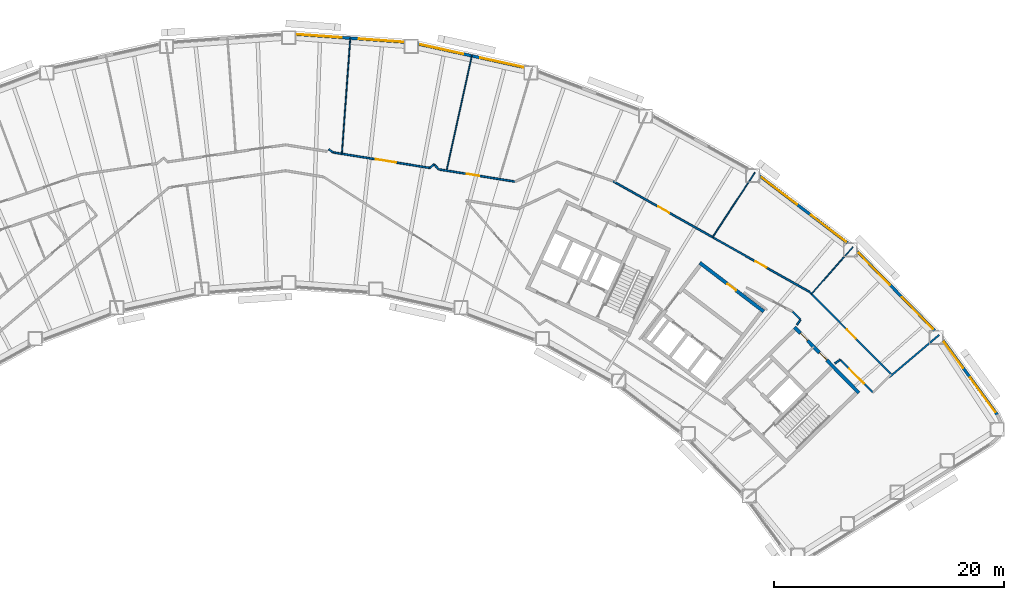
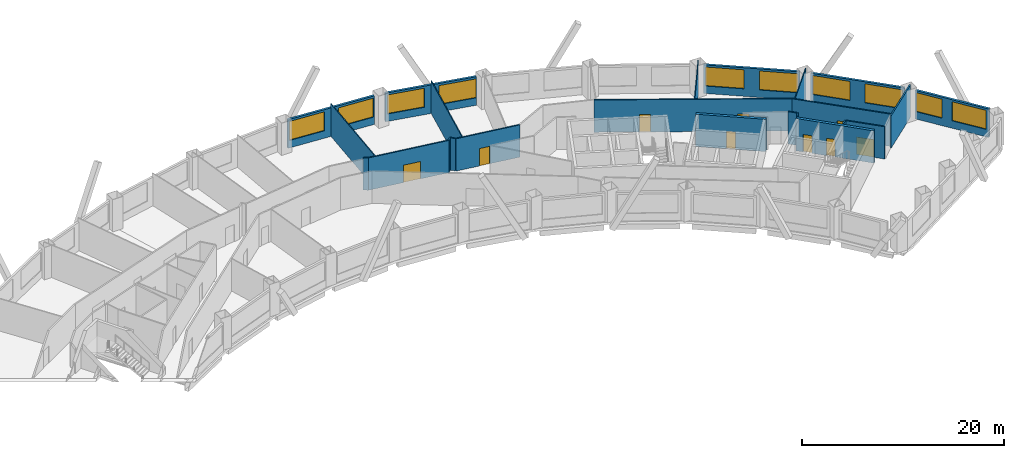
# One storey, part 8 of 12: 23 walls, 10 windows, 9 doors, 19 openings.
"""IFC4 building model written with IfcOpenShell, lengths in metres."""

from ifc_helpers import new_model, si_unit, direction, frame, frame_2d, origin, place, context, subcontext, project, spatial, rectangle, extrude, material, layer, layer_set, type_object, element, fill, save


model = new_model("IFC4")

# Units and contexts
model_context = context("Model", 3, precision=1e-05, world=origin(), true_north=direction((0.0, 1.0)))
body_context = subcontext(model_context, "Body", "Model", "MODEL_VIEW")
ifc_project = project(units=[si_unit("LENGTHUNIT", "METRE"), si_unit("AREAUNIT", "SQUARE_METRE"), si_unit("VOLUMEUNIT", "CUBIC_METRE"), si_unit("PLANEANGLEUNIT", "RADIAN"), si_unit("MASSUNIT", "GRAM", prefix="KILO")], contexts=[model_context])

# Site, building, storey
site_placement = place(None, origin())
site = spatial("IfcSite", under=ifc_project, at=site_placement, CompositionType="ELEMENT")
building_placement = place(site_placement, origin())
building = spatial("IfcBuilding", under=site, at=building_placement, Name="Tuul Gate Civic Tower", CompositionType="ELEMENT")
storey_placement = place(building_placement, frame((0.0, 0.0, 73.800048828125)))
storey = spatial("IfcBuildingStorey", under=building, at=storey_placement, Name="Level 16", CompositionType="ELEMENT", Elevation=73.800048828125)

# Wall, openings, doors
ifc_material_1 = material(Name="Concrete C50/60", Category="concrete")
ifc_layer_1 = layer(ifc_material_1, 0.300048828125)
ifc_layer_set_1 = layer_set([ifc_layer_1], Name="Concrete C50/60")
wall_type_1 = type_object("IfcWallType", Name="Core wall C50/60", PredefinedType="SHEAR", material=ifc_layer_set_1)
wall_1_placement = place(storey_placement, frame((54.43798828125, -12.23779296875, 0.0), z_axis=(0.0, 0.0, 1.0), x_axis=(-0.700021979774, 0.714121297703, 0.0)))
wall_1 = element("IfcWall", 1, at=wall_1_placement, inside=storey, type_object=wall_type_1, Name="Core wall", PredefinedType="SHEAR", context=body_context, shape_type="SweptSolid", body=[
    extrude(rectangle(XDim=8.0, YDim=0.300048828125, at=frame_2d((4.0, 0.0))), origin(), (0.0, 0.0, 1.0), 3.89990234375),
])
opening_1_placement = place(wall_1_placement, frame((3.987548828125, 0.0, 0.0)))
opening_1 = element("IfcOpeningElement", 2, at=opening_1_placement, cuts=wall_1, Name="Opening E-D39", PredefinedType="OPENING", context=body_context, shape_type="SweptSolid", body=[
    extrude(rectangle(XDim=0.89990234375, YDim=2.10009765625, at=frame_2d((0.449951171875, 1.050048828125))), frame((0.0, 0.16015625, 0.0), z_axis=(0.0, -1.0, 0.0), x_axis=(1.0, 0.0, 0.0)), (0.0, 0.0, 1.0), 0.320068359375),
])
opening_2_placement = place(wall_1_placement, frame((6.362548828125, 0.0, 0.0)))
opening_2 = element("IfcOpeningElement", 3, at=opening_2_placement, cuts=wall_1, Name="Opening E-D40", PredefinedType="OPENING", context=body_context, shape_type="SweptSolid", body=[
    extrude(rectangle(XDim=0.89990234375, YDim=2.10009765625, at=frame_2d((0.449951171875, 1.050048828125))), frame((0.0, 0.16015625, 0.0), z_axis=(0.0, -1.0, 0.0), x_axis=(1.0, 0.0, 0.0)), (0.0, 0.0, 1.0), 0.320068359375),
])
ifc_material_2 = material(Name="Timber door leaf", Category="wood")
door_type_1 = type_object("IfcDoorType", Name="Door D09", OperationType="NOTDEFINED", PredefinedType="DOOR", material=ifc_material_2)
door_1_placement = place(opening_1_placement, origin())
door_1 = element("IfcDoor", 4, at=door_1_placement, inside=storey, type_object=door_type_1, Name="Door E-D39", OperationType="SINGLE_SWING_LEFT", OverallHeight=2.10009765625, OverallWidth=0.89990234375, PredefinedType="DOOR", context=body_context, shape_type="SweptSolid", body=[
    extrude(rectangle(XDim=0.89990234375, YDim=2.10009765625, at=frame_2d((0.449951171875, 1.050048828125))), frame((0.0, 0.02490234375, 0.0), z_axis=(0.0, -1.0, 0.0), x_axis=(1.0, 0.0, 0.0)), (0.0, 0.0, 1.0), 0.050048828125),
])
fill(opening_1, door_1)
door_2_placement = place(opening_2_placement, origin())
door_2 = element("IfcDoor", 5, at=door_2_placement, inside=storey, type_object=door_type_1, Name="Door E-D40", OperationType="SINGLE_SWING_LEFT", OverallHeight=2.10009765625, OverallWidth=0.89990234375, PredefinedType="DOOR", context=body_context, shape_type="SweptSolid", body=[
    extrude(rectangle(XDim=0.89990234375, YDim=2.10009765625, at=frame_2d((0.449951171875, 1.050048828125))), frame((0.0, 0.02490234375, 0.0), z_axis=(0.0, -1.0, 0.0), x_axis=(1.0, 0.0, 0.0)), (0.0, 0.0, 1.0), 0.050048828125),
])
fill(opening_2, door_2)

# Wall
ifc_material_3 = material(Name="Gypsum board partition")
ifc_layer_2 = layer(ifc_material_3, 0.14990234375)
ifc_layer_set_2 = layer_set([ifc_layer_2], Name="Gypsum board partition")
wall_type_2 = type_object("IfcWallType", Name="Corridor wall P150", PredefinedType="PARTITIONING", material=ifc_layer_set_2)
wall_2_placement = place(storey_placement, frame((57.067626953125, -10.89501953125, 0.0), z_axis=(0.0, 0.0, 1.0), x_axis=(0.762730425935, 0.646716551012, 0.0)))
element("IfcWall", 6, at=wall_2_placement, inside=storey, type_object=wall_type_2, Name="p005", PredefinedType="PARTITIONING", context=body_context, shape_type="SweptSolid", body=[
    extrude(rectangle(XDim=5.721923828125, YDim=0.14990234375, at=frame_2d((2.86083984375, 0.0))), origin(), (0.0, 0.0, 1.0), 3.89990234375),
])

# Wall, opening, door
wall_3_placement = place(storey_placement, frame((50.1171875, -3.4287109375, 0.0), z_axis=(0.0, 0.0, 1.0), x_axis=(0.704511742875, -0.709692330628, 0.0)))
wall_3 = element("IfcWall", 7, at=wall_3_placement, inside=storey, type_object=wall_type_2, Name="p007", PredefinedType="PARTITIONING", context=body_context, shape_type="SweptSolid", body=[
    extrude(rectangle(XDim=10.132080078125, YDim=0.14990234375, at=frame_2d((5.06591796875, 0.0))), origin(), (0.0, 0.0, 1.0), 3.89990234375),
])
opening_3_placement = place(wall_3_placement, frame((4.65576171875, 0.0, 0.0)))
opening_3 = element("IfcOpeningElement", 8, at=opening_3_placement, cuts=wall_3, Name="Opening E-D01", PredefinedType="OPENING", context=body_context, shape_type="SweptSolid", body=[
    extrude(rectangle(XDim=1.10009765625, YDim=2.10009765625, at=frame_2d((0.550048828125, 1.050048828125))), frame((0.0, 0.0849609375, 0.0), z_axis=(0.0, -1.0, 0.0), x_axis=(1.0, 0.0, 0.0)), (0.0, 0.0, 1.0), 0.169921875),
])
ifc_material_4 = material(Name="Timber door leaf", Category="wood")
door_type_2 = type_object("IfcDoorType", Name="Door D11", OperationType="NOTDEFINED", PredefinedType="DOOR", material=ifc_material_4)
door_3_placement = place(opening_3_placement, origin())
door_3 = element("IfcDoor", 9, at=door_3_placement, inside=storey, type_object=door_type_2, Name="Door E-D01", OperationType="SINGLE_SWING_RIGHT", OverallHeight=2.10009765625, OverallWidth=1.10009765625, PredefinedType="DOOR", context=body_context, shape_type="SweptSolid", body=[
    extrude(rectangle(XDim=1.10009765625, YDim=2.10009765625, at=frame_2d((0.550048828125, 1.050048828125))), frame((0.0, 0.02490234375, 0.0), z_axis=(0.0, -1.0, 0.0), x_axis=(1.0, 0.0, 0.0)), (0.0, 0.0, 1.0), 0.050048828125),
])
fill(opening_3, door_3)

# Wall, openings, doors
wall_4_placement = place(storey_placement, frame((33.027099609375, 6.202392578125, 0.0), z_axis=(0.0, 0.0, 1.0), x_axis=(0.871189375321, -0.490947117649, 0.0)))
wall_4 = element("IfcWall", 10, at=wall_4_placement, inside=storey, type_object=wall_type_2, Name="p010", PredefinedType="PARTITIONING", context=body_context, shape_type="SweptSolid", body=[
    extrude(rectangle(XDim=19.616455078125, YDim=0.14990234375, at=frame_2d((9.80810546875, 0.0))), origin(), (0.0, 0.0, 1.0), 3.89990234375),
])
opening_4_placement = place(wall_4_placement, frame((14.237548828125, 0.0, 0.0)))
opening_4 = element("IfcOpeningElement", 11, at=opening_4_placement, cuts=wall_4, Name="Opening E-D02", PredefinedType="OPENING", context=body_context, shape_type="SweptSolid", body=[
    extrude(rectangle(XDim=1.10009765625, YDim=2.10009765625, at=frame_2d((0.550048828125, 1.050048828125))), frame((0.0, 0.0849609375, 0.0), z_axis=(0.0, -1.0, 0.0), x_axis=(1.0, 0.0, 0.0)), (0.0, 0.0, 1.0), 0.169921875),
])
opening_5_placement = place(wall_4_placement, frame((4.53125, 0.0, 0.0)))
opening_5 = element("IfcOpeningElement", 12, at=opening_5_placement, cuts=wall_4, Name="Opening E-D03", PredefinedType="OPENING", context=body_context, shape_type="SweptSolid", body=[
    extrude(rectangle(XDim=1.10009765625, YDim=2.10009765625, at=frame_2d((0.550048828125, 1.050048828125))), frame((0.0, 0.0849609375, 0.0), z_axis=(0.0, -1.0, 0.0), x_axis=(1.0, 0.0, 0.0)), (0.0, 0.0, 1.0), 0.169921875),
])
door_4_placement = place(opening_4_placement, origin())
door_4 = element("IfcDoor", 13, at=door_4_placement, inside=storey, type_object=door_type_2, Name="Door E-D02", OperationType="SINGLE_SWING_RIGHT", OverallHeight=2.10009765625, OverallWidth=1.10009765625, PredefinedType="DOOR", context=body_context, shape_type="SweptSolid", body=[
    extrude(rectangle(XDim=1.10009765625, YDim=2.10009765625, at=frame_2d((0.550048828125, 1.050048828125))), frame((0.0, 0.02490234375, 0.0), z_axis=(0.0, -1.0, 0.0), x_axis=(1.0, 0.0, 0.0)), (0.0, 0.0, 1.0), 0.050048828125),
])
fill(opening_4, door_4)
door_5_placement = place(opening_5_placement, origin())
door_5 = element("IfcDoor", 14, at=door_5_placement, inside=storey, type_object=door_type_2, Name="Door E-D03", OperationType="SINGLE_SWING_RIGHT", OverallHeight=2.10009765625, OverallWidth=1.10009765625, PredefinedType="DOOR", context=body_context, shape_type="SweptSolid", body=[
    extrude(rectangle(XDim=1.10009765625, YDim=2.10009765625, at=frame_2d((0.550048828125, 1.050048828125))), frame((0.0, 0.02490234375, 0.0), z_axis=(0.0, -1.0, 0.0), x_axis=(1.0, 0.0, 0.0)), (0.0, 0.0, 1.0), 0.050048828125),
])
fill(opening_5, door_5)

# Wall, opening, door
wall_5_placement = place(storey_placement, frame((8.696044921875, 8.693115234375, 0.0), z_axis=(0.0, 0.0, 1.0), x_axis=(0.987354667713, -0.158526843613, 0.0)))
wall_5 = element("IfcWall", 15, at=wall_5_placement, inside=storey, type_object=wall_type_2, Name="p016", PredefinedType="PARTITIONING", context=body_context, shape_type="SweptSolid", body=[
    extrude(rectangle(XDim=8.48583984375, YDim=0.14990234375, at=frame_2d((4.242919921875, 0.0))), origin(), (0.0, 0.0, 1.0), 3.89990234375),
])
opening_6_placement = place(wall_5_placement, frame((3.713134765625, 0.0, 0.0)))
opening_6 = element("IfcOpeningElement", 16, at=opening_6_placement, cuts=wall_5, Name="Opening E-D06", PredefinedType="OPENING", context=body_context, shape_type="SweptSolid", body=[
    extrude(rectangle(XDim=1.800048828125, YDim=2.10009765625, at=frame_2d((0.89990234375, 1.050048828125))), frame((0.0, 0.0849609375, 0.0), z_axis=(0.0, -1.0, 0.0), x_axis=(1.0, 0.0, 0.0)), (0.0, 0.0, 1.0), 0.169921875),
])
ifc_material_5 = material(Name="Timber door leaf, double", Category="wood")
door_type_3 = type_object("IfcDoorType", Name="Door D18", OperationType="DOUBLE_DOOR_SINGLE_SWING", PredefinedType="DOOR", material=ifc_material_5)
door_6_placement = place(opening_6_placement, origin())
door_6 = element("IfcDoor", 17, at=door_6_placement, inside=storey, type_object=door_type_3, Name="Door E-D06", OperationType="DOUBLE_DOOR_SINGLE_SWING", OverallHeight=2.10009765625, OverallWidth=1.800048828125, PredefinedType="DOOR", context=body_context, shape_type="SweptSolid", body=[
    extrude(rectangle(XDim=1.800048828125, YDim=2.10009765625, at=frame_2d((0.89990234375, 1.050048828125))), frame((0.0, 0.02490234375, 0.0), z_axis=(0.0, -1.0, 0.0), x_axis=(1.0, 0.0, 0.0)), (0.0, 0.0, 1.0), 0.050048828125),
])
fill(opening_6, door_6)

wall_6_placement = place(storey_placement, frame((17.852294921875, 7.222900390625, 0.0), z_axis=(0.0, 0.0, 1.0), x_axis=(0.987357729875, -0.158507770332, 0.0)))
wall_6 = element("IfcWall", 18, at=wall_6_placement, inside=storey, type_object=wall_type_2, Name="p017", PredefinedType="PARTITIONING", context=body_context, shape_type="SweptSolid", body=[
    extrude(rectangle(XDim=6.737060546875, YDim=0.14990234375, at=frame_2d((3.36865234375, 0.0))), origin(), (0.0, 0.0, 1.0), 3.89990234375),
])
opening_7_placement = place(wall_6_placement, frame((2.47021484375, 0.0, 0.0)))
opening_7 = element("IfcOpeningElement", 19, at=opening_7_placement, cuts=wall_6, Name="Opening E-D05", PredefinedType="OPENING", context=body_context, shape_type="SweptSolid", body=[
    extrude(rectangle(XDim=1.10009765625, YDim=2.10009765625, at=frame_2d((0.550048828125, 1.050048828125))), frame((0.0, 0.0849609375, 0.0), z_axis=(0.0, -1.0, 0.0), x_axis=(1.0, 0.0, 0.0)), (0.0, 0.0, 1.0), 0.169921875),
])
door_7_placement = place(opening_7_placement, origin())
door_7 = element("IfcDoor", 20, at=door_7_placement, inside=storey, type_object=door_type_2, Name="Door E-D05", OperationType="SINGLE_SWING_RIGHT", OverallHeight=2.10009765625, OverallWidth=1.10009765625, PredefinedType="DOOR", context=body_context, shape_type="SweptSolid", body=[
    extrude(rectangle(XDim=1.10009765625, YDim=2.10009765625, at=frame_2d((0.550048828125, 1.050048828125))), frame((0.0, 0.02490234375, 0.0), z_axis=(0.0, -1.0, 0.0), x_axis=(1.0, 0.0, 0.0)), (0.0, 0.0, 1.0), 0.050048828125),
])
fill(opening_7, door_7)

# Walls
wall_7_placement = place(storey_placement, frame((17.457275390625, 7.67041015625, 0.0), z_axis=(0.0, 0.0, 1.0), x_axis=(0.65604412912, -0.754722532225, 0.0)))
element("IfcWall", 21, at=wall_7_placement, inside=storey, type_object=wall_type_2, Name="p020", PredefinedType="PARTITIONING", context=body_context, shape_type="SweptSolid", body=[
    extrude(rectangle(XDim=0.583984375, YDim=0.14990234375, at=frame_2d((0.2919921875, 0.0))), origin(), (0.0, 0.0, 1.0), 3.89990234375),
])
wall_8_placement = place(storey_placement, frame((17.090576171875, 7.3525390625, 0.0), z_axis=(0.0, 0.0, 1.0), x_axis=(0.754724742006, 0.656041586947, 0.0)))
element("IfcWall", 22, at=wall_8_placement, inside=storey, type_object=wall_type_2, Name="p022", PredefinedType="PARTITIONING", context=body_context, shape_type="SweptSolid", body=[
    extrude(rectangle(XDim=0.48486328125, YDim=0.14990234375, at=frame_2d((0.242431640625, 0.0))), origin(), (0.0, 0.0, 1.0), 3.89990234375),
])
wall_9_placement = place(storey_placement, frame((8.266357421875, 8.96728515625, 0.0), z_axis=(0.0, 0.0, 1.0), x_axis=(0.841289122959, -0.540585434128, 0.0)))
element("IfcWall", 23, at=wall_9_placement, inside=storey, type_object=wall_type_2, Name="p024", PredefinedType="PARTITIONING", context=body_context, shape_type="SweptSolid", body=[
    extrude(rectangle(XDim=0.501708984375, YDim=0.14990234375, at=frame_2d((0.2509765625, 0.0))), origin(), (0.0, 0.0, 1.0), 3.89990234375),
])
wall_10_placement = place(storey_placement, frame((48.674560546875, -5.169189453125, 0.0), z_axis=(0.0, 0.0, 1.0), x_axis=(0.704658506308, -0.709546608397, 0.0)))
element("IfcWall", 24, at=wall_10_placement, inside=storey, type_object=wall_type_2, Name="p063", PredefinedType="PARTITIONING", context=body_context, shape_type="SweptSolid", body=[
    extrude(rectangle(XDim=0.948974609375, YDim=0.14990234375, at=frame_2d((0.474609375, 0.0))), origin(), (0.0, 0.0, 1.0), 3.89990234375),
])

# Wall, opening, door
wall_11_placement = place(storey_placement, frame((52.823974609375, -9.348876953125, 0.0), z_axis=(0.0, 0.0, 1.0), x_axis=(0.704493184161, -0.709710753386, 0.0)))
wall_11 = element("IfcWall", 25, at=wall_11_placement, inside=storey, type_object=wall_type_2, Name="p064", PredefinedType="PARTITIONING", context=body_context, shape_type="SweptSolid", body=[
    extrude(rectangle(XDim=4.024169921875, YDim=0.14990234375, at=frame_2d((2.01220703125, 0.0))), origin(), (0.0, 0.0, 1.0), 3.89990234375),
])
opening_8_placement = place(wall_11_placement, frame((1.112060546875, 0.0, 0.0)))
opening_8 = element("IfcOpeningElement", 26, at=opening_8_placement, cuts=wall_11, Name="Opening E-D26", PredefinedType="OPENING", context=body_context, shape_type="SweptSolid", body=[
    extrude(rectangle(XDim=1.800048828125, YDim=2.10009765625, at=frame_2d((0.89990234375, 1.050048828125))), frame((0.0, 0.0849609375, 0.0), z_axis=(0.0, -1.0, 0.0), x_axis=(1.0, 0.0, 0.0)), (0.0, 0.0, 1.0), 0.169921875),
])
door_8_placement = place(opening_8_placement, origin())
door_8 = element("IfcDoor", 27, at=door_8_placement, inside=storey, type_object=door_type_3, Name="Door E-D26", OperationType="DOUBLE_DOOR_SINGLE_SWING", OverallHeight=2.10009765625, OverallWidth=1.800048828125, PredefinedType="DOOR", context=body_context, shape_type="SweptSolid", body=[
    extrude(rectangle(XDim=1.800048828125, YDim=2.10009765625, at=frame_2d((0.89990234375, 1.050048828125))), frame((0.0, 0.02490234375, 0.0), z_axis=(0.0, -1.0, 0.0), x_axis=(1.0, 0.0, 0.0)), (0.0, 0.0, 1.0), 0.050048828125),
])
fill(opening_8, door_8)

# Walls
wall_12_placement = place(storey_placement, frame((49.0537109375, -6.31591796875, 0.0), z_axis=(0.0, 0.0, 1.0), x_axis=(0.545822225039, 0.837901007669, 0.0)))
element("IfcWall", 28, at=wall_12_placement, inside=storey, type_object=wall_type_2, Name="p065", PredefinedType="PARTITIONING", context=body_context, shape_type="SweptSolid", body=[
    extrude(rectangle(XDim=0.534912109375, YDim=0.14990234375, at=frame_2d((0.267578125, 0.0))), origin(), (0.0, 0.0, 1.0), 3.89990234375),
])
wall_13_placement = place(storey_placement, frame((52.35302734375, -9.6826171875, 0.0), z_axis=(0.0, 0.0, 1.0), x_axis=(0.798049971069, 0.602591274146, 0.0)))
element("IfcWall", 29, at=wall_13_placement, inside=storey, type_object=wall_type_2, Name="p082", PredefinedType="PARTITIONING", context=body_context, shape_type="SweptSolid", body=[
    extrude(rectangle(XDim=0.55712890625, YDim=0.14990234375, at=frame_2d((0.278564453125, 0.0))), origin(), (0.0, 0.0, 1.0), 3.89990234375),
])

# Wall, openings, windows
ifc_material_6 = material(Name="Precast concrete C40/50", Category="concrete")
ifc_layer_3 = layer(ifc_material_6, 0.25)
ifc_layer_set_3 = layer_set([ifc_layer_3], Name="Precast concrete C40/50")
wall_type_3 = type_object("IfcWallType", Name="External wall", PredefinedType="STANDARD", material=ifc_layer_set_3)
wall_14_placement = place(storey_placement, frame((66.498046875, -14.138671875, 0.0), z_axis=(0.0, 0.0, 1.0), x_axis=(-0.589838269776, 0.807521402508, 0.0)))
wall_14 = element("IfcWall", 30, at=wall_14_placement, inside=storey, type_object=wall_type_3, Name="External wall", PredefinedType="STANDARD", context=body_context, shape_type="SweptSolid", body=[
    extrude(rectangle(XDim=7.998779296875, YDim=0.25, at=frame_2d((3.99951171875, 0.0))), origin(), (0.0, 0.0, 1.0), 3.449951171875),
])
opening_9_placement = place(wall_14_placement, frame((0.301025390625, 0.0, 0.89990234375)))
opening_9 = element("IfcOpeningElement", 31, at=opening_9_placement, cuts=wall_14, Name="Opening W21", PredefinedType="OPENING", context=body_context, shape_type="SweptSolid", body=[
    extrude(rectangle(XDim=3.699951171875, YDim=2.300048828125, at=frame_2d((1.85009765625, 1.14990234375))), frame((0.0, 0.135009765625, 0.0), z_axis=(0.0, -1.0, 0.0), x_axis=(1.0, 0.0, 0.0)), (0.0, 0.0, 1.0), 0.27001953125),
])
opening_10_placement = place(wall_14_placement, frame((5.052978515625, 0.0, 0.89990234375)))
opening_10 = element("IfcOpeningElement", 32, at=opening_10_placement, cuts=wall_14, Name="Opening W23", PredefinedType="OPENING", context=body_context, shape_type="SweptSolid", body=[
    extrude(rectangle(XDim=2.800048828125, YDim=2.300048828125, at=frame_2d((1.39990234375, 1.14990234375))), frame((0.0, 0.135009765625, 0.0), z_axis=(0.0, -1.0, 0.0), x_axis=(1.0, 0.0, 0.0)), (0.0, 0.0, 1.0), 0.27001953125),
])
ifc_material_7 = material(Name="Glass", Category="glass")
window_type_1 = type_object("IfcWindowType", Name="Window W21 3700 x 2300", PartitioningType="SINGLE_PANEL", PredefinedType="WINDOW", material=ifc_material_7)
window_1_placement = place(opening_9_placement, origin())
window_1 = element("IfcWindow", 33, at=window_1_placement, inside=storey, type_object=window_type_1, Name="Window", OverallHeight=2.300048828125, OverallWidth=3.699951171875, PartitioningType="SINGLE_PANEL", PredefinedType="WINDOW", context=body_context, shape_type="SweptSolid", body=[
    extrude(rectangle(XDim=3.699951171875, YDim=2.300048828125, at=frame_2d((1.85009765625, 1.14990234375))), frame((0.0, 0.030029296875, 0.0), z_axis=(0.0, -1.0, 0.0), x_axis=(1.0, 0.0, 0.0)), (0.0, 0.0, 1.0), 0.06005859375),
])
fill(opening_9, window_1)
ifc_material_8 = material(Name="Glass", Category="glass")
window_type_2 = type_object("IfcWindowType", Name="Window W23 2800 x 2300", PartitioningType="SINGLE_PANEL", PredefinedType="WINDOW", material=ifc_material_8)
window_2_placement = place(opening_10_placement, origin())
window_2 = element("IfcWindow", 34, at=window_2_placement, inside=storey, type_object=window_type_2, Name="Window", OverallHeight=2.300048828125, OverallWidth=2.800048828125, PartitioningType="SINGLE_PANEL", PredefinedType="WINDOW", context=body_context, shape_type="SweptSolid", body=[
    extrude(rectangle(XDim=2.800048828125, YDim=2.300048828125, at=frame_2d((1.39990234375, 1.14990234375))), frame((0.0, 0.030029296875, 0.0), z_axis=(0.0, -1.0, 0.0), x_axis=(1.0, 0.0, 0.0)), (0.0, 0.0, 1.0), 0.06005859375),
])
fill(opening_10, window_2)

wall_15_placement = place(storey_placement, frame((61.047119140625, -6.80908203125, 0.0), z_axis=(0.0, 0.0, 1.0), x_axis=(-0.700049104252, 0.714094707749, 0.0)))
wall_15 = element("IfcWall", 35, at=wall_15_placement, inside=storey, type_object=wall_type_3, Name="External wall", PredefinedType="STANDARD", context=body_context, shape_type="SweptSolid", body=[
    extrude(rectangle(XDim=9.629638671875, YDim=0.25, at=frame_2d((4.81494140625, 0.0))), origin(), (0.0, 0.0, 1.0), 3.449951171875),
])
opening_11_placement = place(wall_15_placement, frame((0.206787109375, 0.0, 0.89990234375)))
opening_11 = element("IfcOpeningElement", 36, at=opening_11_placement, cuts=wall_15, Name="Opening W22", PredefinedType="OPENING", context=body_context, shape_type="SweptSolid", body=[
    extrude(rectangle(XDim=3.85009765625, YDim=2.300048828125, at=frame_2d((1.925048828125, 1.14990234375))), frame((0.0, 0.135009765625, 0.0), z_axis=(0.0, -1.0, 0.0), x_axis=(1.0, 0.0, 0.0)), (0.0, 0.0, 1.0), 0.27001953125),
])
opening_12_placement = place(wall_15_placement, frame((5.577880859375, 0.0, 0.89990234375)))
opening_12 = element("IfcOpeningElement", 37, at=opening_12_placement, cuts=wall_15, Name="Opening W22", PredefinedType="OPENING", context=body_context, shape_type="SweptSolid", body=[
    extrude(rectangle(XDim=3.85009765625, YDim=2.300048828125, at=frame_2d((1.925048828125, 1.14990234375))), frame((0.0, 0.135009765625, 0.0), z_axis=(0.0, -1.0, 0.0), x_axis=(1.0, 0.0, 0.0)), (0.0, 0.0, 1.0), 0.27001953125),
])
ifc_material_9 = material(Name="Glass", Category="glass")
window_type_3 = type_object("IfcWindowType", Name="Window W22 3850 x 2300", PartitioningType="SINGLE_PANEL", PredefinedType="WINDOW", material=ifc_material_9)
window_3_placement = place(opening_11_placement, origin())
window_3 = element("IfcWindow", 38, at=window_3_placement, inside=storey, type_object=window_type_3, Name="Window", OverallHeight=2.300048828125, OverallWidth=3.85009765625, PartitioningType="SINGLE_PANEL", PredefinedType="WINDOW", context=body_context, shape_type="SweptSolid", body=[
    extrude(rectangle(XDim=3.85009765625, YDim=2.300048828125, at=frame_2d((1.925048828125, 1.14990234375))), frame((0.0, 0.030029296875, 0.0), z_axis=(0.0, -1.0, 0.0), x_axis=(1.0, 0.0, 0.0)), (0.0, 0.0, 1.0), 0.06005859375),
])
fill(opening_11, window_3)
window_4_placement = place(opening_12_placement, origin())
window_4 = element("IfcWindow", 39, at=window_4_placement, inside=storey, type_object=window_type_3, Name="Window", OverallHeight=2.300048828125, OverallWidth=3.85009765625, PartitioningType="SINGLE_PANEL", PredefinedType="WINDOW", context=body_context, shape_type="SweptSolid", body=[
    extrude(rectangle(XDim=3.85009765625, YDim=2.300048828125, at=frame_2d((1.925048828125, 1.14990234375))), frame((0.0, 0.030029296875, 0.0), z_axis=(0.0, -1.0, 0.0), x_axis=(1.0, 0.0, 0.0)), (0.0, 0.0, 1.0), 0.06005859375),
])
fill(opening_12, window_4)

wall_16_placement = place(storey_placement, frame((53.45361328125, 0.81591796875, 0.0), z_axis=(0.0, 0.0, 1.0), x_axis=(-0.795611381341, 0.605807337262, 0.0)))
wall_16 = element("IfcWall", 40, at=wall_16_placement, inside=storey, type_object=wall_type_3, Name="External wall", PredefinedType="STANDARD", context=body_context, shape_type="SweptSolid", body=[
    extrude(rectangle(XDim=9.60595703125, YDim=0.25, at=frame_2d((4.802978515625, 0.0))), origin(), (0.0, 0.0, 1.0), 3.449951171875),
])
opening_13_placement = place(wall_16_placement, frame((0.1640625, 0.0, 0.89990234375)))
opening_13 = element("IfcOpeningElement", 41, at=opening_13_placement, cuts=wall_16, Name="Opening W22", PredefinedType="OPENING", context=body_context, shape_type="SweptSolid", body=[
    extrude(rectangle(XDim=3.85009765625, YDim=2.300048828125, at=frame_2d((1.925048828125, 1.14990234375))), frame((0.0, 0.135009765625, 0.0), z_axis=(0.0, -1.0, 0.0), x_axis=(1.0, 0.0, 0.0)), (0.0, 0.0, 1.0), 0.27001953125),
])
opening_14_placement = place(wall_16_placement, frame((5.535400390625, 0.0, 0.89990234375)))
opening_14 = element("IfcOpeningElement", 42, at=opening_14_placement, cuts=wall_16, Name="Opening W22", PredefinedType="OPENING", context=body_context, shape_type="SweptSolid", body=[
    extrude(rectangle(XDim=3.85009765625, YDim=2.300048828125, at=frame_2d((1.925048828125, 1.14990234375))), frame((0.0, 0.135009765625, 0.0), z_axis=(0.0, -1.0, 0.0), x_axis=(1.0, 0.0, 0.0)), (0.0, 0.0, 1.0), 0.27001953125),
])
window_5_placement = place(opening_13_placement, origin())
window_5 = element("IfcWindow", 43, at=window_5_placement, inside=storey, type_object=window_type_3, Name="Window", OverallHeight=2.300048828125, OverallWidth=3.85009765625, PartitioningType="SINGLE_PANEL", PredefinedType="WINDOW", context=body_context, shape_type="SweptSolid", body=[
    extrude(rectangle(XDim=3.85009765625, YDim=2.300048828125, at=frame_2d((1.925048828125, 1.14990234375))), frame((0.0, 0.030029296875, 0.0), z_axis=(0.0, -1.0, 0.0), x_axis=(1.0, 0.0, 0.0)), (0.0, 0.0, 1.0), 0.06005859375),
])
fill(opening_13, window_5)
window_6_placement = place(opening_14_placement, origin())
window_6 = element("IfcWindow", 44, at=window_6_placement, inside=storey, type_object=window_type_3, Name="Window", OverallHeight=2.300048828125, OverallWidth=3.85009765625, PartitioningType="SINGLE_PANEL", PredefinedType="WINDOW", context=body_context, shape_type="SweptSolid", body=[
    extrude(rectangle(XDim=3.85009765625, YDim=2.300048828125, at=frame_2d((1.925048828125, 1.14990234375))), frame((0.0, 0.030029296875, 0.0), z_axis=(0.0, -1.0, 0.0), x_axis=(1.0, 0.0, 0.0)), (0.0, 0.0, 1.0), 0.06005859375),
])
fill(opening_14, window_6)

wall_17_placement = place(storey_placement, frame((25.284912109375, 16.1025390625, 0.0), z_axis=(0.0, 0.0, 1.0), x_axis=(-0.976565560321, 0.215220134732, 0.0)))
wall_17 = element("IfcWall", 45, at=wall_17_placement, inside=storey, type_object=wall_type_3, Name="External wall", PredefinedType="STANDARD", context=body_context, shape_type="SweptSolid", body=[
    extrude(rectangle(XDim=9.4482421875, YDim=0.25, at=frame_2d((4.72412109375, 0.0))), origin(), (0.0, 0.0, 1.0), 3.449951171875),
])
opening_15_placement = place(wall_17_placement, frame((0.041748046875, 0.0, 0.89990234375)))
opening_15 = element("IfcOpeningElement", 46, at=opening_15_placement, cuts=wall_17, Name="Opening W22", PredefinedType="OPENING", context=body_context, shape_type="SweptSolid", body=[
    extrude(rectangle(XDim=3.85009765625, YDim=2.300048828125, at=frame_2d((1.925048828125, 1.14990234375))), frame((0.0, 0.135009765625, 0.0), z_axis=(0.0, -1.0, 0.0), x_axis=(1.0, 0.0, 0.0)), (0.0, 0.0, 1.0), 0.27001953125),
])
opening_16_placement = place(wall_17_placement, frame((5.4130859375, 0.0, 0.89990234375)))
opening_16 = element("IfcOpeningElement", 47, at=opening_16_placement, cuts=wall_17, Name="Opening W22", PredefinedType="OPENING", context=body_context, shape_type="SweptSolid", body=[
    extrude(rectangle(XDim=3.85009765625, YDim=2.300048828125, at=frame_2d((1.925048828125, 1.14990234375))), frame((0.0, 0.135009765625, 0.0), z_axis=(0.0, -1.0, 0.0), x_axis=(1.0, 0.0, 0.0)), (0.0, 0.0, 1.0), 0.27001953125),
])
window_7_placement = place(opening_15_placement, origin())
window_7 = element("IfcWindow", 48, at=window_7_placement, inside=storey, type_object=window_type_3, Name="Window", OverallHeight=2.300048828125, OverallWidth=3.85009765625, PartitioningType="SINGLE_PANEL", PredefinedType="WINDOW", context=body_context, shape_type="SweptSolid", body=[
    extrude(rectangle(XDim=3.85009765625, YDim=2.300048828125, at=frame_2d((1.925048828125, 1.14990234375))), frame((0.0, 0.030029296875, 0.0), z_axis=(0.0, -1.0, 0.0), x_axis=(1.0, 0.0, 0.0)), (0.0, 0.0, 1.0), 0.06005859375),
])
fill(opening_15, window_7)
window_8_placement = place(opening_16_placement, origin())
window_8 = element("IfcWindow", 49, at=window_8_placement, inside=storey, type_object=window_type_3, Name="Window", OverallHeight=2.300048828125, OverallWidth=3.85009765625, PartitioningType="SINGLE_PANEL", PredefinedType="WINDOW", context=body_context, shape_type="SweptSolid", body=[
    extrude(rectangle(XDim=3.85009765625, YDim=2.300048828125, at=frame_2d((1.925048828125, 1.14990234375))), frame((0.0, 0.030029296875, 0.0), z_axis=(0.0, -1.0, 0.0), x_axis=(1.0, 0.0, 0.0)), (0.0, 0.0, 1.0), 0.06005859375),
])
fill(opening_16, window_8)

wall_18_placement = place(storey_placement, frame((14.85791015625, 18.304931640625, 0.0), z_axis=(0.0, 0.0, 1.0), x_axis=(-0.997388240585, 0.072226709338, 0.0)))
wall_18 = element("IfcWall", 50, at=wall_18_placement, inside=storey, type_object=wall_type_3, Name="External wall", PredefinedType="STANDARD", context=body_context, shape_type="SweptSolid", body=[
    extrude(rectangle(XDim=9.474609375, YDim=0.25, at=frame_2d((4.7373046875, 0.0))), origin(), (0.0, 0.0, 1.0), 3.449951171875),
])
opening_17_placement = place(wall_18_placement, frame((0.10302734375, 0.0, 0.89990234375)))
opening_17 = element("IfcOpeningElement", 51, at=opening_17_placement, cuts=wall_18, Name="Opening W22", PredefinedType="OPENING", context=body_context, shape_type="SweptSolid", body=[
    extrude(rectangle(XDim=3.85009765625, YDim=2.300048828125, at=frame_2d((1.925048828125, 1.14990234375))), frame((0.0, 0.135009765625, 0.0), z_axis=(0.0, -1.0, 0.0), x_axis=(1.0, 0.0, 0.0)), (0.0, 0.0, 1.0), 0.27001953125),
])
opening_18_placement = place(wall_18_placement, frame((5.474609375, 0.0, 0.89990234375)))
opening_18 = element("IfcOpeningElement", 52, at=opening_18_placement, cuts=wall_18, Name="Opening W22", PredefinedType="OPENING", context=body_context, shape_type="SweptSolid", body=[
    extrude(rectangle(XDim=3.85009765625, YDim=2.300048828125, at=frame_2d((1.925048828125, 1.14990234375))), frame((0.0, 0.135009765625, 0.0), z_axis=(0.0, -1.0, 0.0), x_axis=(1.0, 0.0, 0.0)), (0.0, 0.0, 1.0), 0.27001953125),
])
window_9_placement = place(opening_17_placement, origin())
window_9 = element("IfcWindow", 53, at=window_9_placement, inside=storey, type_object=window_type_3, Name="Window", OverallHeight=2.300048828125, OverallWidth=3.85009765625, PartitioningType="SINGLE_PANEL", PredefinedType="WINDOW", context=body_context, shape_type="SweptSolid", body=[
    extrude(rectangle(XDim=3.85009765625, YDim=2.300048828125, at=frame_2d((1.925048828125, 1.14990234375))), frame((0.0, 0.030029296875, 0.0), z_axis=(0.0, -1.0, 0.0), x_axis=(1.0, 0.0, 0.0)), (0.0, 0.0, 1.0), 0.06005859375),
])
fill(opening_17, window_9)
window_10_placement = place(opening_18_placement, origin())
window_10 = element("IfcWindow", 54, at=window_10_placement, inside=storey, type_object=window_type_3, Name="Window", OverallHeight=2.300048828125, OverallWidth=3.85009765625, PartitioningType="SINGLE_PANEL", PredefinedType="WINDOW", context=body_context, shape_type="SweptSolid", body=[
    extrude(rectangle(XDim=3.85009765625, YDim=2.300048828125, at=frame_2d((1.925048828125, 1.14990234375))), frame((0.0, 0.030029296875, 0.0), z_axis=(0.0, -1.0, 0.0), x_axis=(1.0, 0.0, 0.0)), (0.0, 0.0, 1.0), 0.06005859375),
])
fill(opening_18, window_10)

# Wall, opening, door
ifc_material_10 = material(Name="Concrete C40/50", Category="concrete")
ifc_layer_4 = layer(ifc_material_10, 0.300048828125)
ifc_layer_set_4 = layer_set([ifc_layer_4], Name="Concrete C40/50")
wall_type_4 = type_object("IfcWallType", Name="Lift shaft wall C40/50", PredefinedType="STANDARD", material=ifc_layer_set_4)
wall_19_placement = place(storey_placement, frame((46.1591796875, -5.1533203125, 0.0), z_axis=(0.0, 0.0, 1.0), x_axis=(-0.795579811045, 0.605848796531, 0.0)))
wall_19 = element("IfcWall", 55, at=wall_19_placement, inside=storey, type_object=wall_type_4, Name="Shaft wall", PredefinedType="STANDARD", context=body_context, shape_type="SweptSolid", body=[
    extrude(rectangle(XDim=7.0, YDim=0.300048828125, at=frame_2d((3.5, 0.0))), origin(), (0.0, 0.0, 1.0), 3.89990234375),
])
opening_19_placement = place(wall_19_placement, frame((3.050048828125, 0.0, 0.0)))
opening_19 = element("IfcOpeningElement", 56, at=opening_19_placement, cuts=wall_19, Name="Opening E-D38", PredefinedType="OPENING", context=body_context, shape_type="SweptSolid", body=[
    extrude(rectangle(XDim=0.89990234375, YDim=2.10009765625, at=frame_2d((0.449951171875, 1.050048828125))), frame((0.0, 0.16015625, 0.0), z_axis=(0.0, -1.0, 0.0), x_axis=(1.0, 0.0, 0.0)), (0.0, 0.0, 1.0), 0.320068359375),
])
door_9_placement = place(opening_19_placement, origin())
door_9 = element("IfcDoor", 57, at=door_9_placement, inside=storey, type_object=door_type_1, Name="Door E-D38", OperationType="SINGLE_SWING_LEFT", OverallHeight=2.10009765625, OverallWidth=0.89990234375, PredefinedType="DOOR", context=body_context, shape_type="SweptSolid", body=[
    extrude(rectangle(XDim=0.89990234375, YDim=2.10009765625, at=frame_2d((0.449951171875, 1.050048828125))), frame((0.0, 0.02490234375, 0.0), z_axis=(0.0, -1.0, 0.0), x_axis=(1.0, 0.0, 0.0)), (0.0, 0.0, 1.0), 0.050048828125),
])
fill(opening_19, door_9)

# Walls
ifc_material_11 = material(Name="Gypsum board partition")
ifc_layer_5 = layer(ifc_material_11, 0.10009765625)
ifc_layer_set_5 = layer_set([ifc_layer_5], Name="Gypsum board partition")
wall_type_5 = type_object("IfcWallType", Name="Partition P100", PredefinedType="PARTITIONING", material=ifc_layer_set_5)
wall_20_placement = place(storey_placement, frame((50.314208984375, -3.627197265625, 0.0), z_axis=(0.0, 0.0, 1.0), x_axis=(0.661704508988, 0.749764724953, 0.0)))
element("IfcWall", 58, at=wall_20_placement, inside=storey, type_object=wall_type_5, Name="p001", PredefinedType="PARTITIONING", context=body_context, shape_type="SweptSolid", body=[
    extrude(rectangle(XDim=5.4560546875, YDim=0.10009765625, at=frame_2d((2.72802734375, 0.0))), origin(), (0.0, 0.0, 1.0), 3.89990234375),
])
wall_21_placement = place(storey_placement, frame((41.70361328125, 1.31298828125, 0.0), z_axis=(0.0, 0.0, 1.0), x_axis=(0.546723657704, 0.837313108763, 0.0)))
element("IfcWall", 59, at=wall_21_placement, inside=storey, type_object=wall_type_5, Name="p009", PredefinedType="PARTITIONING", context=body_context, shape_type="SweptSolid", body=[
    extrude(rectangle(XDim=6.74560546875, YDim=0.10009765625, at=frame_2d((3.372802734375, 0.0))), origin(), (0.0, 0.0, 1.0), 3.89990234375),
])
wall_22_placement = place(storey_placement, frame((18.539306640625, 7.11279296875, 0.0), z_axis=(0.0, 0.0, 1.0), x_axis=(0.215233048394, 0.976562714258, 0.0)))
element("IfcWall", 60, at=wall_22_placement, inside=storey, type_object=wall_type_5, Name="p018", PredefinedType="PARTITIONING", context=body_context, shape_type="SweptSolid", body=[
    extrude(rectangle(XDim=10.236083984375, YDim=0.10009765625, at=frame_2d((5.1181640625, 0.0))), origin(), (0.0, 0.0, 1.0), 3.89990234375),
])
wall_23_placement = place(storey_placement, frame((9.42724609375, 8.57568359375, 0.0), z_axis=(0.0, 0.0, 1.0), x_axis=(0.072243247974, 0.997387042788, 0.0)))
element("IfcWall", 61, at=wall_23_placement, inside=storey, type_object=wall_type_5, Name="p019", PredefinedType="PARTITIONING", context=body_context, shape_type="SweptSolid", body=[
    extrude(rectangle(XDim=10.10107421875, YDim=0.10009765625, at=frame_2d((5.050537109375, 0.0))), origin(), (0.0, 0.0, 1.0), 3.89990234375),
])

save(model, "model.ifc")
